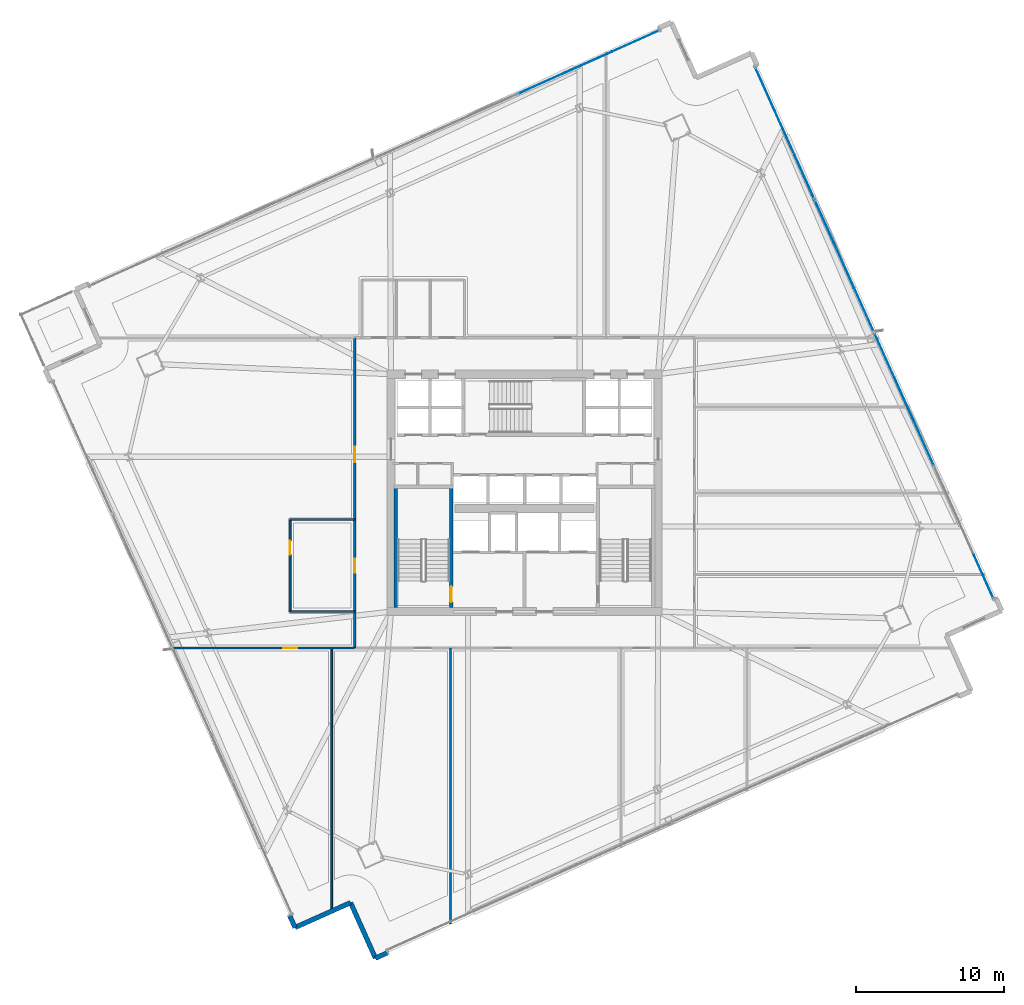
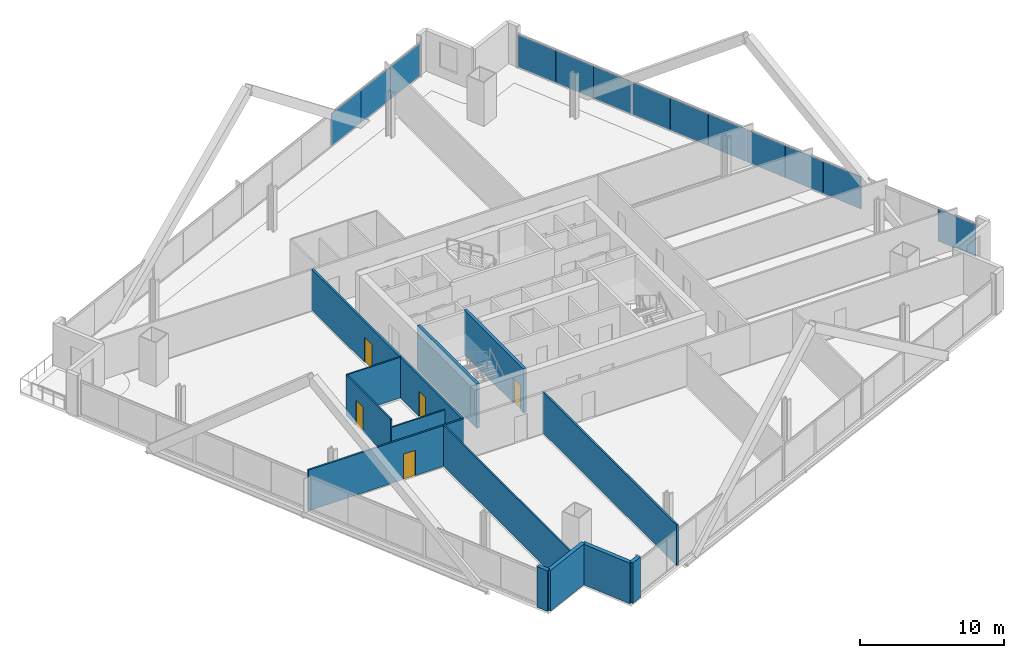
# One storey, part 28 of 38: 13 plates, 13 walls, 5 doors, 5 openings, 2 elements without a shape of their own.
"""IFC4 building model written with IfcOpenShell, lengths in metres."""

import ifcopenshell
import ifcopenshell.guid

model = None  # the IFC model being written
_history = None  # IfcOwnerHistory: only IFC2X3 demands one
_inside = {}  # id of a spatial element -> (the spatial element, [elements in it])
_under = {}  # id of a project, library or spatial element -> (it, [spatial elements below it])
_declared = {}  # id of a project -> (the project, [libraries it declares])
_typed = {}  # id of a type object -> (the type object, [elements of that type])
_made_of = {}  # id of a material, layer set ... -> (it, [elements and type objects made of it])


def new_model(schema):
    """Start an empty IFC model of exactly this schema.

    Asked for "IFC4X3", IfcOpenShell would pick the latest addendum, in which some entities
    have other attributes; the version numbers below select the first issue.
    IFC2X3 requires an IfcOwnerHistory on every rooted entity: one is made here for all.
    """
    global model, _history
    if schema == "IFC4X3":
        model = ifcopenshell.file(schema_version=(4, 3, 0, 0))
    else:
        model = ifcopenshell.file(schema=schema)
    _inside.clear()
    _under.clear()
    _declared.clear()
    _typed.clear()
    _made_of.clear()
    _history = None
    if model.schema == "IFC2X3":
        org = make("IfcOrganization", Name="unknown")
        user = make(
            "IfcPersonAndOrganization",
            ThePerson=make("IfcPerson", FamilyName="unknown"),
            TheOrganization=org,
        )
        app = make(
            "IfcApplication",
            ApplicationDeveloper=org,
            Version="unknown",
            ApplicationFullName="unknown",
            ApplicationIdentifier="unknown",
        )
        _history = make(
            "IfcOwnerHistory",
            OwningUser=user,
            OwningApplication=app,
            ChangeAction="ADDED",
            CreationDate=0,
        )
    return model


def make(cls, **values):
    """One entity of the class cls with the attributes given. An attribute that is None is left unset."""
    return model.create_entity(
        cls, **{name: value for name, value in values.items() if value is not None}
    )


def rooted(cls, **values):
    """An entity with a GlobalId (a new one), such as an element, a storey or a relation."""
    return make(cls, GlobalId=ifcopenshell.guid.new(), OwnerHistory=_history, **values)


def si_unit(unit_type, name, prefix=None):
    """IfcSIUnit, for example si_unit("LENGTHUNIT", "METRE", prefix="MILLI")."""
    return make("IfcSIUnit", UnitType=unit_type, Prefix=prefix, Name=name)


def assignment(units):
    """IfcUnitAssignment: the units of a project."""
    return None if units is None else make("IfcUnitAssignment", Units=units)


def point(xyz):
    """IfcCartesianPoint."""
    return None if xyz is None else make("IfcCartesianPoint", Coordinates=xyz)


def direction(xyz):
    """IfcDirection."""
    return None if xyz is None else make("IfcDirection", DirectionRatios=xyz)


def frame(location, z_axis=None, x_axis=None):
    """IfcAxis2Placement3D, a coordinate frame: its origin and axes. An axis left out is left unset."""
    return make(
        "IfcAxis2Placement3D",
        Location=point(location),
        Axis=direction(z_axis),
        RefDirection=direction(x_axis),
    )


def frame_2d(location, x_axis=None):
    """IfcAxis2Placement2D, a coordinate frame in the plane: its origin and x axis."""
    return make(
        "IfcAxis2Placement2D", Location=point(location), RefDirection=direction(x_axis)
    )


def origin():
    """The frame at (0, 0, 0) with its axes left unset."""
    return frame((0.0, 0.0, 0.0))


def origin_2d():
    """The frame at (0, 0) in the plane with its x axis left unset."""
    return frame_2d((0.0, 0.0))


def place(relative_to, where):
    """IfcLocalPlacement: puts the frame where relative to a parent placement (None: the world)."""
    return make(
        "IfcLocalPlacement", PlacementRelTo=relative_to, RelativePlacement=where
    )


def context(
    kind, dimensions, precision=None, world=None, true_north=None, identifier=None
):
    """IfcGeometricRepresentationContext, for example the 3D "Model" context."""
    return make(
        "IfcGeometricRepresentationContext",
        ContextIdentifier=identifier,
        ContextType=kind,
        CoordinateSpaceDimension=dimensions,
        Precision=precision,
        WorldCoordinateSystem=world,
        TrueNorth=true_north,
    )


def subcontext(parent, identifier, kind, view, scale=None):
    """IfcGeometricRepresentationSubContext, for example "Body" below "Model"."""
    return make(
        "IfcGeometricRepresentationSubContext",
        ContextIdentifier=identifier,
        ContextType=kind,
        ParentContext=parent,
        TargetScale=scale,
        TargetView=view,
    )


def project(units=None, contexts=None):
    """IfcProject with its units and contexts."""
    return rooted(
        "IfcProject",
        Name="project",
        RepresentationContexts=contexts,
        UnitsInContext=assignment(units),
    )


def spatial(cls, under=None, at=None, **own):
    """A site, building, storey or space (cls), placed at a placement, below another one or the project."""
    s = rooted(cls, ObjectPlacement=at, **own)
    if under is not None:
        _under.setdefault(under.id(), (under, []))[1].append(s)
    return s


def profile(cls, at=None, kind="AREA", **sizes):
    """A parametric profile (cls). Its sizes go by their IFC names, for example OverallWidth=200.0."""
    return make(cls, ProfileType=kind, Position=at, **sizes)


def rectangle(**sizes):
    """IfcRectangleProfileDef."""
    return profile("IfcRectangleProfileDef", **sizes)


def extrude(swept, where, along, depth):
    """IfcExtrudedAreaSolid: the profile swept, set in the frame where, extruded along a direction by depth."""
    return make(
        "IfcExtrudedAreaSolid",
        SweptArea=swept,
        Position=where,
        ExtrudedDirection=direction(along),
        Depth=depth,
    )


def shape(context_of_items, identifier, shape_type, items):
    """IfcShapeRepresentation: the items that make up one representation, for example the "Body"."""
    return make(
        "IfcShapeRepresentation",
        ContextOfItems=context_of_items,
        RepresentationIdentifier=identifier,
        RepresentationType=shape_type,
        Items=items,
    )


def source(mapping_origin, context_of_items, identifier, shape_type, items):
    """IfcRepresentationMap: a shape defined once, which mapped items show again and again."""
    return make(
        "IfcRepresentationMap",
        MappingOrigin=mapping_origin,
        MappedRepresentation=shape(context_of_items, identifier, shape_type, items),
    )


def transform(
    local_origin,
    x_axis=None,
    y_axis=None,
    z_axis=None,
    scale=None,
    scale2=None,
    scale3=None,
    uniform=True,
):
    """IfcCartesianTransformationOperator3D, or its non-uniform kind. x_axis, y_axis, z_axis: its Axis1, 2, 3."""
    if uniform:
        return make(
            "IfcCartesianTransformationOperator3D",
            Axis1=direction(x_axis),
            Axis2=direction(y_axis),
            LocalOrigin=point(local_origin),
            Scale=scale,
            Axis3=direction(z_axis),
        )
    return make(
        "IfcCartesianTransformationOperator3DnonUniform",
        Axis1=direction(x_axis),
        Axis2=direction(y_axis),
        LocalOrigin=point(local_origin),
        Scale=scale,
        Axis3=direction(z_axis),
        Scale2=scale2,
        Scale3=scale3,
    )


def mapped(mapping_source, mapping_target):
    """IfcMappedItem: shows the shape of a source again, moved by a transform."""
    return make(
        "IfcMappedItem", MappingSource=mapping_source, MappingTarget=mapping_target
    )


def material(Name=None, Category=None):
    """IfcMaterial."""
    return make("IfcMaterial", Name=Name, Category=Category)


def layer(
    of_material, thickness, ventilated=None, Name=None, Category=None, Priority=None
):
    """IfcMaterialLayer: one layer of a wall or slab, of a material (None: an air gap)."""
    return make(
        "IfcMaterialLayer",
        Material=of_material,
        LayerThickness=thickness,
        IsVentilated=ventilated,
        Name=Name,
        Category=Category,
        Priority=Priority,
    )


def layer_set(layers, Name=None):
    """IfcMaterialLayerSet."""
    return make("IfcMaterialLayerSet", MaterialLayers=layers, LayerSetName=Name)


def made_of(thing, what):
    """Note that an element or type object is made of a material, layer set ...; save() writes the relation."""
    if what is not None:
        _made_of.setdefault(what.id(), (what, []))[1].append(thing)
    return thing


def type_object(cls, material=None, **own):
    """A type object (cls), such as IfcWallType, which elements share."""
    return made_of(rooted(cls, **own), material)


def element(
    cls,
    number,
    at=None,
    inside=None,
    cuts=None,
    type_object=None,
    material=None,
    context=None,
    identifier="Body",
    shape_type=None,
    held_by="IfcProductDefinitionShape",
    body=None,
    shapes=None,
    **own,
):
    """One element of the class cls, such as IfcWall. Its Tag is "e" and its number.

    at: its placement. inside: the storey or other place that contains it. cuts: it is an
    opening in that element (IfcRelVoidsElement). A single representation is given by context,
    identifier, shape_type and body (its items); several are given by shapes. held_by: the class
    of the entity that holds the representations. save() writes the other relations.
    """
    e = rooted(cls, Tag="e%d" % number, ObjectPlacement=at, **own)
    if body is not None:
        shapes = [shape(context, identifier, shape_type, body)]
    if shapes is not None:
        e.Representation = make(held_by, Representations=shapes)
    if inside is not None:
        _inside.setdefault(inside.id(), (inside, []))[1].append(e)
    if cuts is not None:
        rooted(
            "IfcRelVoidsElement", RelatingBuildingElement=cuts, RelatedOpeningElement=e
        )
    if type_object is not None:
        _typed.setdefault(type_object.id(), (type_object, []))[1].append(e)
    return made_of(e, material)


def fill(opening, filler):
    """IfcRelFillsElement: the door or window that sits in an opening."""
    return rooted(
        "IfcRelFillsElement",
        RelatingOpeningElement=opening,
        RelatedBuildingElement=filler,
    )


def aggregate(whole, parts):
    """IfcRelAggregates: a whole, such as a stair, and the parts it consists of."""
    return rooted("IfcRelAggregates", RelatingObject=whole, RelatedObjects=parts)


def save(model, path):
    """Write the relations noted so far, then the file.

    IfcRelAggregates (storeys below a building ...), IfcRelContainedInSpatialStructure (elements
    in a storey), IfcRelDefinesByType, IfcRelAssociatesMaterial and IfcRelDeclares: one each for
    every whole, place, type object, material and project.
    """
    for whole, parts in _under.values():
        aggregate(whole, parts)
    for where, things in _inside.values():
        rooted(
            "IfcRelContainedInSpatialStructure",
            RelatedElements=things,
            RelatingStructure=where,
        )
    for kind, things in _typed.values():
        rooted("IfcRelDefinesByType", RelatedObjects=things, RelatingType=kind)
    for what, things in _made_of.values():
        rooted("IfcRelAssociatesMaterial", RelatedObjects=things, RelatingMaterial=what)
    for by, libraries in _declared.values():
        rooted("IfcRelDeclares", RelatingContext=by, RelatedDefinitions=libraries)
    model.write(path)


model = new_model("IFC4")

# Units and contexts
model_context = context("Model", 3, precision=1e-05, world=origin(), true_north=direction((0.0, 1.0)))
body_context = subcontext(model_context, "Body", "Model", "MODEL_VIEW")
ifc_project = project(units=[si_unit("LENGTHUNIT", "METRE"), si_unit("AREAUNIT", "SQUARE_METRE"), si_unit("VOLUMEUNIT", "CUBIC_METRE"), si_unit("PLANEANGLEUNIT", "RADIAN"), si_unit("MASSUNIT", "GRAM", prefix="KILO")], contexts=[model_context])

# Site, building, storey
site_placement = place(None, origin())
site = spatial("IfcSite", under=ifc_project, at=site_placement, CompositionType="ELEMENT")
building_placement = place(site_placement, origin())
building = spatial("IfcBuilding", under=site, at=building_placement, Name="Haldenkirk Collegiate Tower", CompositionType="ELEMENT")
storey_placement = place(building_placement, frame((0.0, 0.0, 109.199951171875)))
storey = spatial("IfcBuildingStorey", under=building, at=storey_placement, Name="L26", CompositionType="ELEMENT", Elevation=109.199951171875)

# Curtain wall, plates
ifc_material_1 = material(Name="Anodised architectural bronze aluminium", Category="aluminium")
curtain_wall_type = type_object("IfcCurtainWallType", Name="CW-SYS1-CONVEX-LOW", PredefinedType="USERDEFINED", material=ifc_material_1)
curtain_wall_1_placement = place(storey_placement, origin())
curtain_wall_1 = element("IfcCurtainWall", 1, at=curtain_wall_1_placement, inside=storey, type_object=curtain_wall_type, Name="L26 Lower tower convex bronze-framed unitised curtain wall", ObjectType="UNITISED CURTAIN WALL", PredefinedType="USERDEFINED")
ifc_material_2 = material(Name="Bronze-anodised insulated aluminium spandrel panel", Category="aluminium")
ifc_layer_1 = layer(ifc_material_2, 0.0439453125)
ifc_layer_set_1 = layer_set([ifc_layer_1], Name="Bronze-anodised insulated aluminium spandrel panel")
plate_type_1 = type_object("IfcPlateType", Name="CW-SPD-1A", PredefinedType="CURTAIN_PANEL", material=ifc_layer_set_1)
shared_shape_1 = source(origin(), body_context, "Body", "SweptSolid", [
    extrude(rectangle(XDim=3.244140625, YDim=0.0439453125, at=origin_2d()), origin(), (0.0, 0.0, 1.0), 2.740966796875),
])
plate_1_placement = place(storey_placement, frame((56.2197265625, 44.25830078125, 0.080078125), z_axis=(0.0, 0.0, 1.0), x_axis=(0.409129142403, -0.912476490018, 0.0)))
plate_1 = element("IfcPlate", 2, at=plate_1_placement, type_object=plate_type_1, Name="CW-1A spandrel panel 2.1a", PredefinedType="CURTAIN_PANEL", context=body_context, shape_type="MappedRepresentation", body=[
    mapped(shared_shape_1, transform((0.0, 0.0, 0.0), x_axis=(1.0, 0.0, 0.0), y_axis=(0.0, 1.0, 0.0), z_axis=(0.0, 0.0, 1.0), scale=1.0)),
])
ifc_material_3 = material(Name="Low-E argon triple insulating glass", Category="glass")
ifc_layer_2 = layer(ifc_material_3, 0.0439453125)
ifc_layer_set_2 = layer_set([ifc_layer_2], Name="Low-E argon triple insulating glass")
plate_type_2 = type_object("IfcPlateType", Name="CW-PNL-1A", PredefinedType="CURTAIN_PANEL", material=ifc_layer_set_2)
plate_2_placement = place(storey_placement, frame((58.8896484375, 38.3037109375, 0.080078125), z_axis=(0.0, 0.0, 1.0), x_axis=(0.409129142403, -0.912476490018, 0.0)))
plate_2 = element("IfcPlate", 3, at=plate_2_placement, type_object=plate_type_2, Name="CW-1A panel 2.1c", PredefinedType="CURTAIN_PANEL", context=body_context, shape_type="MappedRepresentation", body=[
    mapped(shared_shape_1, transform((0.0, 0.0, 0.0), x_axis=(1.0, 0.0, 0.0), y_axis=(0.0, 1.0, 0.0), z_axis=(0.0, 0.0, 1.0), scale=1.0)),
])
plate_3_placement = place(storey_placement, frame((60.249755859375, 35.2705078125, 0.080078125), z_axis=(0.0, 0.0, 1.0), x_axis=(0.409129142403, -0.912476490018, 0.0)))
plate_3 = element("IfcPlate", 4, at=plate_3_placement, type_object=plate_type_2, Name="CW-1A panel 3.1a", PredefinedType="CURTAIN_PANEL", context=body_context, shape_type="MappedRepresentation", body=[
    mapped(shared_shape_1, transform((0.0, 0.0, 0.0), x_axis=(1.0, 0.0, 0.0), y_axis=(0.0, 1.0, 0.0), z_axis=(0.0, 0.0, 1.0), scale=1.0)),
])
plate_4_placement = place(storey_placement, frame((62.919677734375, 29.31591796875, 0.080078125), z_axis=(0.0, 0.0, 1.0), x_axis=(0.409129142403, -0.912476490018, 0.0)))
plate_4 = element("IfcPlate", 5, at=plate_4_placement, type_object=plate_type_1, Name="CW-1A spandrel panel 3.1c", PredefinedType="CURTAIN_PANEL", context=body_context, shape_type="MappedRepresentation", body=[
    mapped(shared_shape_1, transform((0.0, 0.0, 0.0), x_axis=(1.0, 0.0, 0.0), y_axis=(0.0, 1.0, 0.0), z_axis=(0.0, 0.0, 1.0), scale=1.0)),
])
shared_shape_2 = source(origin(), body_context, "Body", "SweptSolid", [
    extrude(rectangle(XDim=3.231689453125, YDim=0.0439453125, at=origin_2d()), origin(), (0.0, 0.0, 1.0), 2.740966796875),
])
plate_5_placement = place(storey_placement, frame((57.5546875, 41.281005859375, 0.080078125), z_axis=(0.0, 0.0, 1.0), x_axis=(0.409129142403, -0.912476490018, 0.0)))
plate_5 = element("IfcPlate", 6, at=plate_5_placement, type_object=plate_type_2, Name="CW-1A panel 2.1b", PredefinedType="CURTAIN_PANEL", context=body_context, shape_type="MappedRepresentation", body=[
    mapped(shared_shape_2, transform((0.0, 0.0, 0.0), x_axis=(1.0, 0.0, 0.0), y_axis=(0.0, 1.0, 0.0), z_axis=(0.0, 0.0, 1.0), scale=1.0)),
])
plate_6_placement = place(storey_placement, frame((61.584716796875, 32.293212890625, 0.080078125), z_axis=(0.0, 0.0, 1.0), x_axis=(0.409129142403, -0.912476490018, 0.0)))
plate_6 = element("IfcPlate", 7, at=plate_6_placement, type_object=plate_type_2, Name="CW-1A panel 3.1b", PredefinedType="CURTAIN_PANEL", context=body_context, shape_type="MappedRepresentation", body=[
    mapped(shared_shape_2, transform((0.0, 0.0, 0.0), x_axis=(1.0, 0.0, 0.0), y_axis=(0.0, 1.0, 0.0), z_axis=(0.0, 0.0, 1.0), scale=1.0)),
])
shared_shape_3 = source(origin(), body_context, "Body", "SweptSolid", [
    extrude(rectangle(XDim=3.230712890625, YDim=0.0439453125, at=origin_2d()), origin(), (0.0, 0.0, 1.0), 2.740966796875),
])
plate_7_placement = place(storey_placement, frame((52.203369140625, 53.2158203125, 0.080078125), z_axis=(0.0, 0.0, 1.0), x_axis=(0.409129142403, -0.912476490018, 0.0)))
plate_7 = element("IfcPlate", 8, at=plate_7_placement, type_object=plate_type_2, Name="CW-1A panel 1.1a", PredefinedType="CURTAIN_PANEL", context=body_context, shape_type="MappedRepresentation", body=[
    mapped(shared_shape_3, transform((0.0, 0.0, 0.0), x_axis=(1.0, 0.0, 0.0), y_axis=(0.0, 1.0, 0.0), z_axis=(0.0, 0.0, 1.0), scale=1.0)),
])
plate_8_placement = place(storey_placement, frame((54.8623046875, 47.285400390625, 0.080078125), z_axis=(0.0, 0.0, 1.0), x_axis=(0.409129142403, -0.912476490018, 0.0)))
plate_8 = element("IfcPlate", 9, at=plate_8_placement, type_object=plate_type_1, Name="CW-1A spandrel panel 1.1c", PredefinedType="CURTAIN_PANEL", context=body_context, shape_type="MappedRepresentation", body=[
    mapped(shared_shape_3, transform((0.0, 0.0, 0.0), x_axis=(1.0, 0.0, 0.0), y_axis=(0.0, 1.0, 0.0), z_axis=(0.0, 0.0, 1.0), scale=1.0)),
])
plate_9_placement = place(storey_placement, frame((66.935791015625, 20.3583984375, 0.080078125), z_axis=(0.0, 0.0, 1.0), x_axis=(0.409129142403, -0.912476490018, 0.0)))
plate_9 = element("IfcPlate", 10, at=plate_9_placement, type_object=plate_type_2, Name="CW-1A panel 4.1c", PredefinedType="CURTAIN_PANEL", context=body_context, shape_type="MappedRepresentation", body=[
    mapped(shared_shape_3, transform((0.0, 0.0, 0.0), x_axis=(1.0, 0.0, 0.0), y_axis=(0.0, 1.0, 0.0), z_axis=(0.0, 0.0, 1.0), scale=1.0)),
])
shared_shape_4 = source(origin(), body_context, "Body", "SweptSolid", [
    extrude(rectangle(XDim=3.21826171875, YDim=0.0439453125, at=origin_2d()), origin(), (0.0, 0.0, 1.0), 2.740966796875),
])
plate_10_placement = place(storey_placement, frame((53.532958984375, 50.250732421875, 0.080078125), z_axis=(0.0, 0.0, 1.0), x_axis=(0.409129142403, -0.912476490018, 0.0)))
plate_10 = element("IfcPlate", 11, at=plate_10_placement, type_object=plate_type_1, Name="CW-1A spandrel panel 1.1b", PredefinedType="CURTAIN_PANEL", context=body_context, shape_type="MappedRepresentation", body=[
    mapped(shared_shape_4, transform((0.0, 0.0, 0.0), x_axis=(1.0, 0.0, 0.0), y_axis=(0.0, 1.0, 0.0), z_axis=(0.0, 0.0, 1.0), scale=1.0)),
])
aggregate(curtain_wall_1, [plate_7, plate_10, plate_8, plate_1, plate_5, plate_2, plate_3, plate_6, plate_4, plate_9])

curtain_wall_2_placement = place(storey_placement, origin())
curtain_wall_2 = element("IfcCurtainWall", 12, at=curtain_wall_2_placement, inside=storey, type_object=curtain_wall_type, Name="L26 Lower tower convex bronze-framed unitised curtain wall", ObjectType="UNITISED CURTAIN WALL", PredefinedType="USERDEFINED")
shared_shape_5 = source(origin(), body_context, "Body", "SweptSolid", [
    extrude(rectangle(XDim=3.464111328125, YDim=0.0439453125, at=origin_2d()), origin(), (0.0, 0.0, 1.0), 2.740966796875),
])
plate_11_placement = place(storey_placement, frame((37.1298828125, 53.597900390625, 0.080078125), z_axis=(0.0, 0.0, 1.0), x_axis=(0.912477296053, 0.409127344707, 0.0)))
plate_11 = element("IfcPlate", 13, at=plate_11_placement, type_object=plate_type_1, Name="CW-1A spandrel panel 4.1a", PredefinedType="CURTAIN_PANEL", context=body_context, shape_type="MappedRepresentation", body=[
    mapped(shared_shape_5, transform((0.0, 0.0, 0.0), x_axis=(1.0, 0.0, 0.0), y_axis=(0.0, 1.0, 0.0), z_axis=(0.0, 0.0, 1.0), scale=1.0)),
])
plate_12_placement = place(storey_placement, frame((43.486083984375, 56.44775390625, 0.080078125), z_axis=(0.0, 0.0, 1.0), x_axis=(0.912477296053, 0.409127344707, 0.0)))
plate_12 = element("IfcPlate", 14, at=plate_12_placement, type_object=plate_type_2, Name="CW-1A panel 4.1c", PredefinedType="CURTAIN_PANEL", context=body_context, shape_type="MappedRepresentation", body=[
    mapped(shared_shape_5, transform((0.0, 0.0, 0.0), x_axis=(1.0, 0.0, 0.0), y_axis=(0.0, 1.0, 0.0), z_axis=(0.0, 0.0, 1.0), scale=1.0)),
])
shared_shape_6 = source(origin(), body_context, "Body", "SweptSolid", [
    extrude(rectangle(XDim=3.45166015625, YDim=0.0439453125, at=origin_2d()), origin(), (0.0, 0.0, 1.0), 2.740966796875),
])
plate_13_placement = place(storey_placement, frame((40.30810546875, 55.022705078125, 0.080078125), z_axis=(0.0, 0.0, 1.0), x_axis=(0.912477296053, 0.409127344707, 0.0)))
plate_13 = element("IfcPlate", 15, at=plate_13_placement, type_object=plate_type_1, Name="CW-1A spandrel panel 4.1b", PredefinedType="CURTAIN_PANEL", context=body_context, shape_type="MappedRepresentation", body=[
    mapped(shared_shape_6, transform((0.0, 0.0, 0.0), x_axis=(1.0, 0.0, 0.0), y_axis=(0.0, 1.0, 0.0), z_axis=(0.0, 0.0, 1.0), scale=1.0)),
])
aggregate(curtain_wall_2, [plate_11, plate_13, plate_12])

# Walls
ifc_material_4 = material(Name="Precast concrete f'c 40 MPa", Category="concrete")
ifc_layer_3 = layer(ifc_material_4, 0.320068359375)
ifc_layer_set_3 = layer_set([ifc_layer_3], Name="Precast concrete f'c 40 MPa")
wall_type_1 = type_object("IfcWallType", Name="WL-EXT-TWR-320", PredefinedType="STANDARD", material=ifc_layer_set_3)
for number, where, z_axis, x_axis, name in (
    (16, (26.770263671875, -4.98828125, 0.0), (0.0, 0.0, 1.0), (-0.912463919071, -0.409157178103, 0.0), "L26 precast corner pier SR"),
    (17, (20.530517578125, -3.292724609375, 0.0), (0.0, 0.0, 1.0), (-0.409157178103, 0.912463919071, 0.0), "L26 precast corner pier WL"),
):
    element("IfcWall", number, at=place(storey_placement, frame(where, z_axis=z_axis, x_axis=x_axis)), inside=storey, type_object=wall_type_1, Name=name, PredefinedType="STANDARD", context=body_context, shape_type="SweptSolid", body=[
        extrude(rectangle(XDim=0.89990234375, YDim=0.320068359375, at=frame_2d((0.449951171875, 0.0))), origin(), (0.0, 0.0, 1.0), 3.449951171875),
    ])
for number, where, z_axis, x_axis, name in (
    (18, (24.271728515625, -1.615234375, 0.0), (0.0, 0.0, 1.0), (-0.912473298974, -0.409136259283, 0.0), "L26 bronze precast notch wall 11"),
    (19, (25.94921875, -5.3564453125, 0.0), (0.0, 0.0, 1.0), (-0.409136259283, 0.912473298974, 0.0), "L26 bronze precast notch wall 12"),
):
    element("IfcWall", number, at=place(storey_placement, frame(where, z_axis=z_axis, x_axis=x_axis)), inside=storey, type_object=wall_type_1, Name=name, PredefinedType="STANDARD", context=body_context, shape_type="SweptSolid", body=[
        extrude(rectangle(XDim=4.10009765625, YDim=0.320068359375, at=frame_2d((2.050048828125, 0.0))), origin(), (0.0, 0.0, 1.0), 3.449951171875),
    ])

# Wall, openings, doors
ifc_material_5 = material(Name="Acoustic fire-rated gypsum partition", Category="concrete")
ifc_layer_4 = layer(ifc_material_5, 0.159912109375)
ifc_layer_set_4 = layer_set([ifc_layer_4], Name="Acoustic fire-rated gypsum partition")
wall_type_2 = type_object("IfcWallType", Name="WL-INT-CORR-160", PredefinedType="PARTITIONING", material=ifc_layer_set_4)
wall_1_placement = place(storey_placement, frame((24.550048828125, 15.550048828125, 0.0), z_axis=(0.0, 0.0, 1.0), x_axis=(0.0, 1.0, 0.0)))
wall_1 = element("IfcWall", 20, at=wall_1_placement, inside=storey, type_object=wall_type_2, Name="L26 interior partition IW-L26-CW", PredefinedType="PARTITIONING", context=body_context, shape_type="SweptSolid", body=[
    extrude(rectangle(XDim=20.89990234375, YDim=0.159912109375, at=frame_2d((10.449951171875, 0.0))), origin(), (0.0, 0.0, 1.0), 3.449951171875),
])
opening_1_placement = place(wall_1_placement, frame((5.074951171875, 0.0, 0.0)))
opening_1 = element("IfcOpeningElement", 21, at=opening_1_placement, cuts=wall_1, Name="Opening D-10", PredefinedType="OPENING", context=body_context, shape_type="SweptSolid", body=[
    extrude(rectangle(XDim=0.949951171875, YDim=2.14990234375, at=frame_2d((0.47509765625, 1.074951171875))), frame((0.0, 0.08984375, 0.0), z_axis=(0.0, -1.0, 0.0), x_axis=(1.0, 0.0, 0.0)), (0.0, 0.0, 1.0), 0.179931640625),
])
opening_2_placement = place(wall_1_placement, frame((12.52392578125, 0.0, 0.0)))
opening_2 = element("IfcOpeningElement", 22, at=opening_2_placement, cuts=wall_1, Name="Opening D-09", PredefinedType="OPENING", context=body_context, shape_type="SweptSolid", body=[
    extrude(rectangle(XDim=1.050048828125, YDim=2.14990234375, at=frame_2d((0.52490234375, 1.074951171875))), frame((0.0, 0.08984375, 0.0), z_axis=(0.0, -1.0, 0.0), x_axis=(1.0, 0.0, 0.0)), (0.0, 0.0, 1.0), 0.179931640625),
])
ifc_material_6 = material(Name="Solid-core architectural oak fire door", Category="wood")
ifc_layer_5 = layer(ifc_material_6, 0.06005859375)
ifc_layer_set_5 = layer_set([ifc_layer_5], Name="Solid-core architectural oak fire door")
door_type_1 = type_object("IfcDoorType", Name="DR-INT-FD60-1050", OperationType="NOTDEFINED", PredefinedType="DOOR", material=ifc_layer_set_5)
door_1_placement = place(opening_2_placement, origin())
door_1 = element("IfcDoor", 23, at=door_1_placement, inside=storey, type_object=door_type_1, Name="L26 Computational Design Studio 8 door", OperationType="SINGLE_SWING_RIGHT", OverallHeight=2.14990234375, OverallWidth=1.050048828125, PredefinedType="DOOR", context=body_context, shape_type="SweptSolid", body=[
    extrude(rectangle(XDim=1.050048828125, YDim=2.14990234375, at=frame_2d((0.52490234375, 1.074951171875))), frame((0.0, 0.02490234375, 0.0), z_axis=(0.0, -1.0, 0.0), x_axis=(1.0, 0.0, 0.0)), (0.0, 0.0, 1.0), 0.050048828125),
])
fill(opening_2, door_1)
ifc_layer_6 = layer(ifc_material_6, 0.06005859375)
ifc_layer_set_6 = layer_set([ifc_layer_6], Name="Solid-core architectural oak fire door")
door_type_2 = type_object("IfcDoorType", Name="DR-INT-FD60-950", OperationType="NOTDEFINED", PredefinedType="DOOR", material=ifc_layer_set_6)
door_2_placement = place(opening_1_placement, origin())
door_2 = element("IfcDoor", 24, at=door_2_placement, inside=storey, type_object=door_type_2, Name="L26 West Faculty Tutorial Pod corridor door", OperationType="SINGLE_SWING_LEFT", OverallHeight=2.14990234375, OverallWidth=0.949951171875, PredefinedType="DOOR", context=body_context, shape_type="SweptSolid", body=[
    extrude(rectangle(XDim=0.949951171875, YDim=2.14990234375, at=frame_2d((0.47509765625, 1.074951171875))), frame((0.0, 0.02490234375, 0.0), z_axis=(0.0, -1.0, 0.0), x_axis=(1.0, 0.0, 0.0)), (0.0, 0.0, 1.0), 0.050048828125),
])
fill(opening_1, door_2)

# Wall, opening, door
ifc_layer_7 = layer(ifc_material_5, 0.139892578125)
ifc_layer_set_7 = layer_set([ifc_layer_7], Name="Acoustic fire-rated gypsum partition")
wall_type_3 = type_object("IfcWallType", Name="WL-INT-DIV-140", PredefinedType="PARTITIONING", material=ifc_layer_set_7)
wall_2_placement = place(storey_placement, frame((12.125732421875, 15.550048828125, 0.0), z_axis=(0.0, 0.0, 1.0), x_axis=(1.0, 0.0, 0.0)))
wall_2 = element("IfcWall", 25, at=wall_2_placement, inside=storey, type_object=wall_type_3, Name="L26 interior partition IW-L26-BWS", PredefinedType="PARTITIONING", context=body_context, shape_type="SweptSolid", body=[
    extrude(rectangle(XDim=12.42431640625, YDim=0.139892578125, at=frame_2d((6.212158203125, 0.0))), origin(), (0.0, 0.0, 1.0), 3.449951171875),
])
opening_3_placement = place(wall_2_placement, frame((7.59912109375, 0.0, 0.0)))
opening_3 = element("IfcOpeningElement", 26, at=opening_3_placement, cuts=wall_2, Name="Opening D-12", PredefinedType="OPENING", context=body_context, shape_type="SweptSolid", body=[
    extrude(rectangle(XDim=0.949951171875, YDim=2.14990234375, at=frame_2d((0.47509765625, 1.074951171875))), frame((0.0, 0.079833984375, 0.0), z_axis=(0.0, -1.0, 0.0), x_axis=(1.0, 0.0, 0.0)), (0.0, 0.0, 1.0), 0.159912109375),
])
ifc_layer_8 = layer(ifc_material_6, 0.06005859375)
ifc_layer_set_8 = layer_set([ifc_layer_8], Name="Solid-core architectural oak fire door")
door_type_3 = type_object("IfcDoorType", Name="DR-INT-STD-950", OperationType="NOTDEFINED", PredefinedType="DOOR", material=ifc_layer_set_8)
door_3_placement = place(opening_3_placement, origin())
door_3 = element("IfcDoor", 27, at=door_3_placement, inside=storey, type_object=door_type_3, Name="L26 Wet Science Laboratory 1 door", OperationType="SINGLE_SWING_LEFT", OverallHeight=2.14990234375, OverallWidth=0.949951171875, PredefinedType="DOOR", context=body_context, shape_type="SweptSolid", body=[
    extrude(rectangle(XDim=0.949951171875, YDim=2.14990234375, at=frame_2d((0.47509765625, 1.074951171875))), frame((0.0, 0.02490234375, 0.0), z_axis=(0.0, -1.0, 0.0), x_axis=(1.0, 0.0, 0.0)), (0.0, 0.0, 1.0), 0.050048828125),
])
fill(opening_3, door_3)

# Walls
wall_3_placement = place(storey_placement, frame((31.0, -3.048095703125, 0.0), z_axis=(0.0, 0.0, 1.0), x_axis=(0.0, 1.0, 0.0)))
element("IfcWall", 28, at=wall_3_placement, inside=storey, type_object=wall_type_3, Name="L26 interior partition IW-L26-RS2", PredefinedType="PARTITIONING", context=body_context, shape_type="SweptSolid", body=[
    extrude(rectangle(XDim=18.59814453125, YDim=0.139892578125, at=frame_2d((9.299072265625, 0.0))), origin(), (0.0, 0.0, 1.0), 3.449951171875),
])
ifc_layer_9 = layer(ifc_material_5, 0.1201171875)
ifc_layer_set_9 = layer_set([ifc_layer_9], Name="Acoustic fire-rated gypsum partition")
wall_type_4 = type_object("IfcWallType", Name="WL-INT-WET-120", PredefinedType="PARTITIONING", material=ifc_layer_set_9)
wall_4_placement = place(storey_placement, frame((23.0, -2.1416015625, 0.0), z_axis=(0.0, 0.0, 1.0), x_axis=(0.0, 1.0, 0.0)))
element("IfcWall", 29, at=wall_4_placement, inside=storey, type_object=wall_type_4, Name="L26 interior partition IW-L26-RS1", PredefinedType="PARTITIONING", context=body_context, shape_type="SweptSolid", body=[
    extrude(rectangle(XDim=17.691650390625, YDim=0.1201171875, at=frame_2d((8.845703125, 0.0))), origin(), (0.0, 0.0, 1.0), 3.449951171875),
])
wall_5_placement = place(storey_placement, frame((20.199951171875, 18.0, 0.0), z_axis=(0.0, 0.0, 1.0), x_axis=(1.0, 0.0, 0.0)))
element("IfcWall", 30, at=wall_5_placement, inside=storey, type_object=wall_type_4, Name="L26 interior partition IW-L26-SUBWS", PredefinedType="PARTITIONING", context=body_context, shape_type="SweptSolid", body=[
    extrude(rectangle(XDim=4.35009765625, YDim=0.1201171875, at=frame_2d((2.175048828125, 0.0))), origin(), (0.0, 0.0, 1.0), 2.7490234375),
])

# Wall, opening, door
wall_6_placement = place(storey_placement, frame((20.199951171875, 18.0, 0.0), z_axis=(0.0, 0.0, 1.0), x_axis=(0.0, 1.0, 0.0)))
wall_6 = element("IfcWall", 31, at=wall_6_placement, inside=storey, type_object=wall_type_4, Name="L26 interior partition IW-L26-SUBW", PredefinedType="PARTITIONING", context=body_context, shape_type="SweptSolid", body=[
    extrude(rectangle(XDim=6.199951171875, YDim=0.1201171875, at=frame_2d((3.10009765625, 0.0))), origin(), (0.0, 0.0, 1.0), 3.449951171875),
])
opening_4_placement = place(wall_6_placement, frame((3.824951171875, 0.0, 0.0)))
opening_4 = element("IfcOpeningElement", 32, at=opening_4_placement, cuts=wall_6, Name="Opening D-12", PredefinedType="OPENING", context=body_context, shape_type="SweptSolid", body=[
    extrude(rectangle(XDim=0.949951171875, YDim=2.14990234375, at=frame_2d((0.47509765625, 1.074951171875))), frame((0.0, 0.070068359375, 0.0), z_axis=(0.0, -1.0, 0.0), x_axis=(1.0, 0.0, 0.0)), (0.0, 0.0, 1.0), 0.14013671875),
])
door_4_placement = place(opening_4_placement, origin())
door_4 = element("IfcDoor", 33, at=door_4_placement, inside=storey, type_object=door_type_3, Name="L26 West Faculty Tutorial Pod suite door", OperationType="SINGLE_SWING_RIGHT", OverallHeight=2.14990234375, OverallWidth=0.949951171875, PredefinedType="DOOR", context=body_context, shape_type="SweptSolid", body=[
    extrude(rectangle(XDim=0.949951171875, YDim=2.14990234375, at=frame_2d((0.47509765625, 1.074951171875))), frame((0.0, 0.02490234375, 0.0), z_axis=(0.0, -1.0, 0.0), x_axis=(1.0, 0.0, 0.0)), (0.0, 0.0, 1.0), 0.050048828125),
])
fill(opening_4, door_4)

# Wall
wall_7_placement = place(storey_placement, frame((20.199951171875, 24.199951171875, 0.0), z_axis=(0.0, 0.0, 1.0), x_axis=(1.0, 0.0, 0.0)))
element("IfcWall", 34, at=wall_7_placement, inside=storey, type_object=wall_type_4, Name="L26 interior partition IW-L26-SUBWN", PredefinedType="PARTITIONING", context=body_context, shape_type="SweptSolid", body=[
    extrude(rectangle(XDim=4.35009765625, YDim=0.1201171875, at=frame_2d((2.175048828125, 0.0))), origin(), (0.0, 0.0, 1.0), 3.449951171875),
])

# Wall, opening, door
ifc_material_7 = material(Name="Concrete f'c 55 MPa", Category="concrete")
ifc_layer_10 = layer(ifc_material_7, 0.239990234375)
ifc_layer_set_10 = layer_set([ifc_layer_10], Name="Concrete f'c 55 MPa")
wall_type_5 = type_object("IfcWallType", Name="WL-SHAFT-240", PredefinedType="SHEAR", material=ifc_layer_set_10)
wall_8_placement = place(storey_placement, frame((31.070068359375, 18.280029296875, 0.0), z_axis=(0.0, 0.0, 1.0), x_axis=(0.0, 1.0, 0.0)))
wall_8 = element("IfcWall", 35, at=wall_8_placement, inside=storey, type_object=wall_type_5, Name="L26 stair shaft shear wall SW-L26-ST1E", PredefinedType="SHEAR", context=body_context, shape_type="SweptSolid", body=[
    extrude(rectangle(XDim=8.260009765625, YDim=0.239990234375, at=frame_2d((4.1298828125, 0.0))), origin(), (0.0, 0.0, 1.0), 3.75),
])
opening_5_placement = place(wall_8_placement, frame((0.364990234375, 0.0, 0.0)))
opening_5 = element("IfcOpeningElement", 36, at=opening_5_placement, cuts=wall_8, Name="Opening D-01", PredefinedType="OPENING", context=body_context, shape_type="SweptSolid", body=[
    extrude(rectangle(XDim=1.050048828125, YDim=2.14990234375, at=frame_2d((0.52490234375, 1.074951171875))), frame((0.0, 0.1298828125, 0.0), z_axis=(0.0, -1.0, 0.0), x_axis=(1.0, 0.0, 0.0)), (0.0, 0.0, 1.0), 0.260009765625),
])
ifc_material_8 = material(Name="Galvanized fire-rated hollow steel door", Category="steel")
ifc_layer_11 = layer(ifc_material_8, 0.06005859375)
ifc_layer_set_11 = layer_set([ifc_layer_11], Name="Galvanized fire-rated hollow steel door")
door_type_4 = type_object("IfcDoorType", Name="DR-STAIR-FD90-1050", OperationType="NOTDEFINED", PredefinedType="DOOR", material=ifc_layer_set_11)
door_5_placement = place(opening_5_placement, origin())
door_5 = element("IfcDoor", 37, at=door_5_placement, inside=storey, type_object=door_type_4, Name="L26 Stair 1 door", OperationType="SINGLE_SWING_LEFT", OverallHeight=2.14990234375, OverallWidth=1.050048828125, PredefinedType="DOOR", context=body_context, shape_type="SweptSolid", body=[
    extrude(rectangle(XDim=1.050048828125, YDim=2.14990234375, at=frame_2d((0.52490234375, 1.074951171875))), frame((0.0, 0.02490234375, 0.0), z_axis=(0.0, -1.0, 0.0), x_axis=(1.0, 0.0, 0.0)), (0.0, 0.0, 1.0), 0.050048828125),
])
fill(opening_5, door_5)

# Wall
wall_9_placement = place(storey_placement, frame((27.330078125, 18.280029296875, 0.0), z_axis=(0.0, 0.0, 1.0), x_axis=(0.0, 1.0, 0.0)))
element("IfcWall", 38, at=wall_9_placement, inside=storey, type_object=wall_type_5, Name="L26 stair shaft shear wall SW-L26-ST1W", PredefinedType="SHEAR", context=body_context, shape_type="SweptSolid", body=[
    extrude(rectangle(XDim=8.260009765625, YDim=0.239990234375, at=frame_2d((4.1298828125, 0.0))), origin(), (0.0, 0.0, 1.0), 3.75),
])

save(model, "model.ifc")
